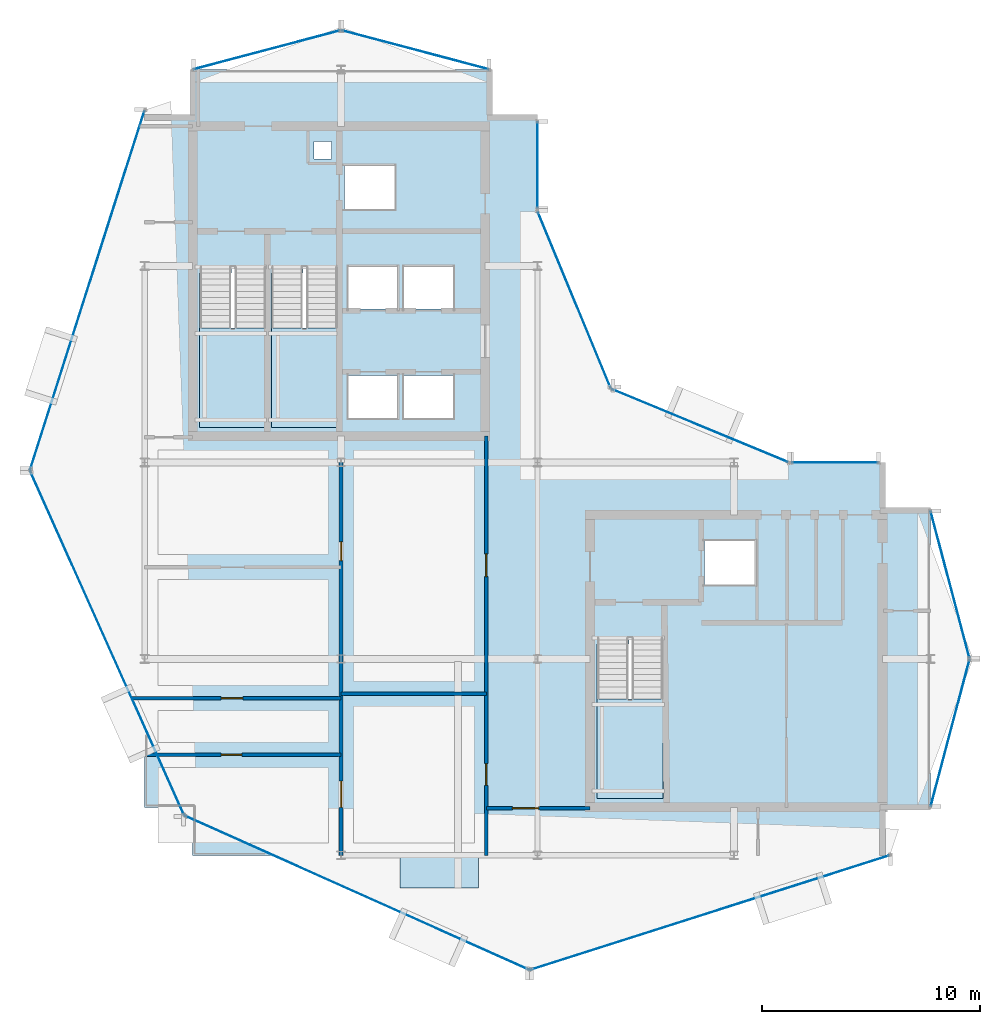
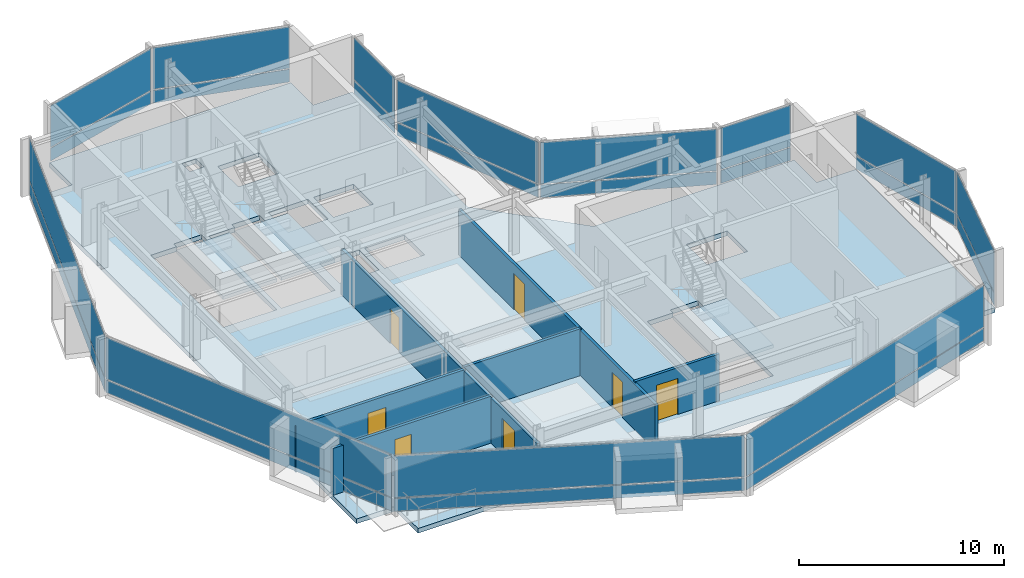
# One storey, part 13 of 19: 24 plates, 7 doors, 6 walls, 5 slabs, 7 openings, 15 elements without a shape of their own.
"""IFC4 building model written with IfcOpenShell, lengths in metres."""

from ifc_helpers import new_model, si_unit, direction, frame, frame_2d, origin, origin_2d, place, context, subcontext, project, spatial, polyline, rectangle, outline, extrude, material, layer, layer_set, type_object, element, fill, aggregate, save


model = new_model("IFC4")

# Units and contexts
model_context = context("Model", 3, precision=1e-05, world=origin(), true_north=direction((0.0, 1.0)))
body_context = subcontext(model_context, "Body", "Model", "MODEL_VIEW")
ifc_project = project(units=[si_unit("LENGTHUNIT", "METRE"), si_unit("AREAUNIT", "SQUARE_METRE"), si_unit("VOLUMEUNIT", "CUBIC_METRE"), si_unit("PLANEANGLEUNIT", "RADIAN"), si_unit("MASSUNIT", "GRAM", prefix="KILO")], contexts=[model_context])

# Site, building, storey
site_placement = place(None, origin())
site = spatial("IfcSite", under=ifc_project, at=site_placement, CompositionType="ELEMENT")
building_placement = place(site_placement, origin())
building = spatial("IfcBuilding", under=site, at=building_placement, Name="Solvaryn Broadcast Tower", CompositionType="ELEMENT")
storey_placement = place(building_placement, frame((0.0, 0.0, 244.5)))
storey = spatial("IfcBuildingStorey", under=building, at=storey_placement, Name="L61", CompositionType="ELEMENT", Elevation=244.5)

# Curtain wall, plates
ifc_material_1 = material(Name="Aluminium and Terracotta Unitised Curtain Wall", Category="masonry")
ifc_layer_1 = layer(ifc_material_1, 0.199951171875)
ifc_layer_set_1 = layer_set([ifc_layer_1], Name="CW-SYS2-LOWMID")
curtain_wall_type_1 = type_object("IfcCurtainWallType", Name="CW-SYS2-LOWMID", PredefinedType="NOTDEFINED", material=ifc_layer_set_1)
curtain_wall_1_placement = place(storey_placement, origin())
curtain_wall_1 = element("IfcCurtainWall", 1, at=curtain_wall_1_placement, inside=storey, type_object=curtain_wall_type_1, Name="L61 Curtain Wall DR1", PredefinedType="NOTDEFINED")
ifc_material_2 = material(Name="Low-Iron Insulated Vision Glass", Category="glass")
ifc_layer_2 = layer(ifc_material_2, 0.035888671875)
ifc_layer_set_2 = layer_set([ifc_layer_2], Name="CW-PNL-VISION")
plate_type = type_object("IfcPlateType", Name="CW-PNL-VISION", PredefinedType="CURTAIN_PANEL", material=ifc_layer_set_2)
plate_1_placement = place(storey_placement, frame((6.368896484375, 34.892578125, 0.06005859375), z_axis=(0.0, 0.0, 1.0), x_axis=(-0.30361564569, -0.952794594701, 0.0)))
plate_1 = element("IfcPlate", 2, at=plate_1_placement, type_object=plate_type, Name="CWS2 panel 1.1", PredefinedType="CURTAIN_PANEL", context=body_context, shape_type="SweptSolid", body=[
    extrude(rectangle(XDim=17.211181640625, YDim=0.028076171875, at=origin_2d()), origin(), (0.0, 0.0, 1.0), 0.760009765625),
])
plate_2_placement = place(storey_placement, frame((6.368896484375, 34.892578125, 0.880126953125), z_axis=(0.0, 0.0, 1.0), x_axis=(-0.30361564569, -0.952794594701, 0.0)))
plate_2 = element("IfcPlate", 3, at=plate_2_placement, type_object=plate_type, Name="CWS2 panel 1.2", PredefinedType="CURTAIN_PANEL", context=body_context, shape_type="SweptSolid", body=[
    extrude(rectangle(XDim=17.211181640625, YDim=0.028076171875, at=origin_2d()), origin(), (0.0, 0.0, 1.0), 2.47998046875),
])
aggregate(curtain_wall_1, [plate_1, plate_2])

ifc_material_3 = material(Name="Aluminium and Terracotta Unitised Curtain Wall", Category="masonry")
ifc_layer_3 = layer(ifc_material_3, 0.239990234375)
ifc_layer_set_3 = layer_set([ifc_layer_3], Name="CW-SYS3-BAYBOX")
curtain_wall_type_2 = type_object("IfcCurtainWallType", Name="CW-SYS3-BAYBOX", PredefinedType="NOTDEFINED", material=ifc_layer_set_3)
curtain_wall_2_placement = place(storey_placement, origin())
curtain_wall_2 = element("IfcCurtainWall", 4, at=curtain_wall_2_placement, inside=storey, type_object=curtain_wall_type_2, Name="L61 Curtain Wall DR2", PredefinedType="NOTDEFINED")
plate_3_placement = place(storey_placement, frame((7.277587890625, 18.7265625, 0.06005859375), z_axis=(0.0, 0.0, 1.0), x_axis=(0.408466010682, -0.912773530574, 0.0)))
plate_3 = element("IfcPlate", 5, at=plate_3_placement, type_object=plate_type, Name="CWS3 panel 1.1", PredefinedType="CURTAIN_PANEL", context=body_context, shape_type="SweptSolid", body=[
    extrude(rectangle(XDim=17.210693359375, YDim=0.028076171875, at=origin_2d()), origin(), (0.0, 0.0, 1.0), 0.760009765625),
])
plate_4_placement = place(storey_placement, frame((7.277587890625, 18.7265625, 0.880126953125), z_axis=(0.0, 0.0, 1.0), x_axis=(0.408466010682, -0.912773530574, 0.0)))
plate_4 = element("IfcPlate", 6, at=plate_4_placement, type_object=plate_type, Name="CWS3 panel 1.2", PredefinedType="CURTAIN_PANEL", context=body_context, shape_type="SweptSolid", body=[
    extrude(rectangle(XDim=17.210693359375, YDim=0.028076171875, at=origin_2d()), origin(), (0.0, 0.0, 1.0), 2.47998046875),
])
aggregate(curtain_wall_2, [plate_3, plate_4])

curtain_wall_3_placement = place(storey_placement, origin())
curtain_wall_3 = element("IfcCurtainWall", 7, at=curtain_wall_3_placement, inside=storey, type_object=curtain_wall_type_1, Name="L61 Curtain Wall DR3", PredefinedType="NOTDEFINED")
plate_5_placement = place(storey_placement, frame((18.7265625, 7.277587890625, 0.06005859375), z_axis=(0.0, 0.0, 1.0), x_axis=(0.912773530574, -0.408466010682, 0.0)))
plate_5 = element("IfcPlate", 8, at=plate_5_placement, type_object=plate_type, Name="CWS2 panel 1.1", PredefinedType="CURTAIN_PANEL", context=body_context, shape_type="SweptSolid", body=[
    extrude(rectangle(XDim=17.210693359375, YDim=0.028076171875, at=origin_2d()), origin(), (0.0, 0.0, 1.0), 0.760009765625),
])
plate_6_placement = place(storey_placement, frame((18.7265625, 7.277587890625, 0.880126953125), z_axis=(0.0, 0.0, 1.0), x_axis=(0.912773530574, -0.408466010682, 0.0)))
plate_6 = element("IfcPlate", 9, at=plate_6_placement, type_object=plate_type, Name="CWS2 panel 1.2", PredefinedType="CURTAIN_PANEL", context=body_context, shape_type="SweptSolid", body=[
    extrude(rectangle(XDim=17.210693359375, YDim=0.028076171875, at=origin_2d()), origin(), (0.0, 0.0, 1.0), 2.47998046875),
])
aggregate(curtain_wall_3, [plate_5, plate_6])

curtain_wall_4_placement = place(storey_placement, origin())
curtain_wall_4 = element("IfcCurtainWall", 10, at=curtain_wall_4_placement, inside=storey, type_object=curtain_wall_type_1, Name="L61 Curtain Wall DR4", PredefinedType="NOTDEFINED")
plate_7_placement = place(storey_placement, frame((34.892578125, 6.368896484375, 0.06005859375), z_axis=(0.0, 0.0, 1.0), x_axis=(0.952794594701, 0.30361564569, 0.0)))
plate_7 = element("IfcPlate", 11, at=plate_7_placement, type_object=plate_type, Name="CWS2 panel 1.1", PredefinedType="CURTAIN_PANEL", context=body_context, shape_type="SweptSolid", body=[
    extrude(rectangle(XDim=17.211181640625, YDim=0.028076171875, at=origin_2d()), origin(), (0.0, 0.0, 1.0), 0.760009765625),
])
plate_8_placement = place(storey_placement, frame((34.892578125, 6.368896484375, 0.880126953125), z_axis=(0.0, 0.0, 1.0), x_axis=(0.952794594701, 0.30361564569, 0.0)))
plate_8 = element("IfcPlate", 12, at=plate_8_placement, type_object=plate_type, Name="CWS2 panel 1.2", PredefinedType="CURTAIN_PANEL", context=body_context, shape_type="SweptSolid", body=[
    extrude(rectangle(XDim=17.211181640625, YDim=0.028076171875, at=origin_2d()), origin(), (0.0, 0.0, 1.0), 2.47998046875),
])
aggregate(curtain_wall_4, [plate_7, plate_8])

curtain_wall_5_placement = place(storey_placement, origin())
curtain_wall_5 = element("IfcCurtainWall", 13, at=curtain_wall_5_placement, inside=storey, type_object=curtain_wall_type_1, Name="L61 Curtain Wall IV", PredefinedType="NOTDEFINED")
plate_9_placement = place(storey_placement, frame((27.0, 40.625, 0.06005859375), z_axis=(0.0, 0.0, 1.0), x_axis=(0.0, -1.0, 0.0)))
plate_9 = element("IfcPlate", 14, at=plate_9_placement, type_object=plate_type, Name="CWS2 panel 1.1", PredefinedType="CURTAIN_PANEL", context=body_context, shape_type="SweptSolid", body=[
    extrude(rectangle(XDim=3.929931640625, YDim=0.028076171875, at=origin_2d()), origin(), (0.0, 0.0, 1.0), 0.760009765625),
])
plate_10_placement = place(storey_placement, frame((27.0, 40.625, 0.880126953125), z_axis=(0.0, 0.0, 1.0), x_axis=(0.0, -1.0, 0.0)))
plate_10 = element("IfcPlate", 15, at=plate_10_placement, type_object=plate_type, Name="CWS2 panel 1.2", PredefinedType="CURTAIN_PANEL", context=body_context, shape_type="SweptSolid", body=[
    extrude(rectangle(XDim=3.929931640625, YDim=0.028076171875, at=origin_2d()), origin(), (0.0, 0.0, 1.0), 2.47998046875),
])
aggregate(curtain_wall_5, [plate_9, plate_10])

curtain_wall_6_placement = place(storey_placement, origin())
curtain_wall_6 = element("IfcCurtainWall", 16, at=curtain_wall_6_placement, inside=storey, type_object=curtain_wall_type_1, Name="L61 Curtain Wall CN1", PredefinedType="NOTDEFINED")
plate_11_placement = place(storey_placement, frame((34.43408203125, 28.68408203125, 0.06005859375), z_axis=(0.0, 0.0, 1.0), x_axis=(-0.923894983957, 0.382646127145, 0.0)))
plate_11 = element("IfcPlate", 17, at=plate_11_placement, type_object=plate_type, Name="CWS2 panel 1.1", PredefinedType="CURTAIN_PANEL", context=body_context, shape_type="SweptSolid", body=[
    extrude(rectangle(XDim=8.681884765625, YDim=0.028076171875, at=origin_2d()), origin(), (0.0, 0.0, 1.0), 0.760009765625),
])
plate_12_placement = place(storey_placement, frame((34.43408203125, 28.68408203125, 0.880126953125), z_axis=(0.0, 0.0, 1.0), x_axis=(-0.923894983957, 0.382646127145, 0.0)))
plate_12 = element("IfcPlate", 18, at=plate_12_placement, type_object=plate_type, Name="CWS2 panel 1.2", PredefinedType="CURTAIN_PANEL", context=body_context, shape_type="SweptSolid", body=[
    extrude(rectangle(XDim=8.681884765625, YDim=0.028076171875, at=origin_2d()), origin(), (0.0, 0.0, 1.0), 2.47998046875),
])
aggregate(curtain_wall_6, [plate_11, plate_12])

curtain_wall_7_placement = place(storey_placement, origin())
curtain_wall_7 = element("IfcCurtainWall", 19, at=curtain_wall_7_placement, inside=storey, type_object=curtain_wall_type_1, Name="L61 Curtain Wall CN2", PredefinedType="NOTDEFINED")
plate_13_placement = place(storey_placement, frame((28.68408203125, 34.43408203125, 0.06005859375), z_axis=(0.0, 0.0, 1.0), x_axis=(-0.382646127145, 0.923894983957, 0.0)))
plate_13 = element("IfcPlate", 20, at=plate_13_placement, type_object=plate_type, Name="CWS2 panel 1.1", PredefinedType="CURTAIN_PANEL", context=body_context, shape_type="SweptSolid", body=[
    extrude(rectangle(XDim=8.681884765625, YDim=0.028076171875, at=origin_2d()), origin(), (0.0, 0.0, 1.0), 0.760009765625),
])
plate_14_placement = place(storey_placement, frame((28.68408203125, 34.43408203125, 0.880126953125), z_axis=(0.0, 0.0, 1.0), x_axis=(-0.382646127145, 0.923894983957, 0.0)))
plate_14 = element("IfcPlate", 21, at=plate_14_placement, type_object=plate_type, Name="CWS2 panel 1.2", PredefinedType="CURTAIN_PANEL", context=body_context, shape_type="SweptSolid", body=[
    extrude(rectangle(XDim=8.681884765625, YDim=0.028076171875, at=origin_2d()), origin(), (0.0, 0.0, 1.0), 2.47998046875),
])
aggregate(curtain_wall_7, [plate_13, plate_14])

curtain_wall_8_placement = place(storey_placement, origin())
curtain_wall_8 = element("IfcCurtainWall", 22, at=curtain_wall_8_placement, inside=storey, type_object=curtain_wall_type_1, Name="L61 Curtain Wall NT1", PredefinedType="NOTDEFINED")
plate_15_placement = place(storey_placement, frame((21.39990234375, 45.89990234375, 0.06005859375), z_axis=(0.0, 0.0, 1.0), x_axis=(-0.966705227863, 0.25589256031, 0.0)))
plate_15 = element("IfcPlate", 23, at=plate_15_placement, type_object=plate_type, Name="CWS2 panel 1.1", PredefinedType="CURTAIN_PANEL", context=body_context, shape_type="SweptSolid", body=[
    extrude(rectangle(XDim=6.914306640625, YDim=0.028076171875, at=origin_2d()), origin(), (0.0, 0.0, 1.0), 0.760009765625),
])
plate_16_placement = place(storey_placement, frame((21.39990234375, 45.89990234375, 0.880126953125), z_axis=(0.0, 0.0, 1.0), x_axis=(-0.966705227863, 0.25589256031, 0.0)))
plate_16 = element("IfcPlate", 24, at=plate_16_placement, type_object=plate_type, Name="CWS2 panel 1.2", PredefinedType="CURTAIN_PANEL", context=body_context, shape_type="SweptSolid", body=[
    extrude(rectangle(XDim=6.914306640625, YDim=0.028076171875, at=origin_2d()), origin(), (0.0, 0.0, 1.0), 2.47998046875),
])
aggregate(curtain_wall_8, [plate_15, plate_16])

curtain_wall_9_placement = place(storey_placement, origin())
curtain_wall_9 = element("IfcCurtainWall", 25, at=curtain_wall_9_placement, inside=storey, type_object=curtain_wall_type_1, Name="L61 Curtain Wall NT2", PredefinedType="NOTDEFINED")
plate_17_placement = place(storey_placement, frame((14.60009765625, 45.89990234375, 0.06005859375), z_axis=(0.0, 0.0, 1.0), x_axis=(-0.966705227863, -0.25589256031, 0.0)))
plate_17 = element("IfcPlate", 26, at=plate_17_placement, type_object=plate_type, Name="CWS2 panel 1.1", PredefinedType="CURTAIN_PANEL", context=body_context, shape_type="SweptSolid", body=[
    extrude(rectangle(XDim=6.914306640625, YDim=0.028076171875, at=origin_2d()), origin(), (0.0, 0.0, 1.0), 0.760009765625),
])
plate_18_placement = place(storey_placement, frame((14.60009765625, 45.89990234375, 0.880126953125), z_axis=(0.0, 0.0, 1.0), x_axis=(-0.966705227863, -0.25589256031, 0.0)))
plate_18 = element("IfcPlate", 27, at=plate_18_placement, type_object=plate_type, Name="CWS2 panel 1.2", PredefinedType="CURTAIN_PANEL", context=body_context, shape_type="SweptSolid", body=[
    extrude(rectangle(XDim=6.914306640625, YDim=0.028076171875, at=origin_2d()), origin(), (0.0, 0.0, 1.0), 2.47998046875),
])
aggregate(curtain_wall_9, [plate_17, plate_18])

curtain_wall_10_placement = place(storey_placement, origin())
curtain_wall_10 = element("IfcCurtainWall", 28, at=curtain_wall_10_placement, inside=storey, type_object=curtain_wall_type_1, Name="L61 Curtain Wall ET1", PredefinedType="NOTDEFINED")
plate_19_placement = place(storey_placement, frame((45.89990234375, 21.39990234375, 0.06005859375), z_axis=(0.0, 0.0, 1.0), x_axis=(0.25589256031, -0.966705227863, 0.0)))
plate_19 = element("IfcPlate", 29, at=plate_19_placement, type_object=plate_type, Name="CWS2 panel 1.1", PredefinedType="CURTAIN_PANEL", context=body_context, shape_type="SweptSolid", body=[
    extrude(rectangle(XDim=6.914306640625, YDim=0.028076171875, at=origin_2d()), origin(), (0.0, 0.0, 1.0), 0.760009765625),
])
plate_20_placement = place(storey_placement, frame((45.89990234375, 21.39990234375, 0.880126953125), z_axis=(0.0, 0.0, 1.0), x_axis=(0.25589256031, -0.966705227863, 0.0)))
plate_20 = element("IfcPlate", 30, at=plate_20_placement, type_object=plate_type, Name="CWS2 panel 1.2", PredefinedType="CURTAIN_PANEL", context=body_context, shape_type="SweptSolid", body=[
    extrude(rectangle(XDim=6.914306640625, YDim=0.028076171875, at=origin_2d()), origin(), (0.0, 0.0, 1.0), 2.47998046875),
])
aggregate(curtain_wall_10, [plate_19, plate_20])

curtain_wall_11_placement = place(storey_placement, origin())
curtain_wall_11 = element("IfcCurtainWall", 31, at=curtain_wall_11_placement, inside=storey, type_object=curtain_wall_type_1, Name="L61 Curtain Wall ET2", PredefinedType="NOTDEFINED")
plate_21_placement = place(storey_placement, frame((45.89990234375, 14.60009765625, 0.06005859375), z_axis=(0.0, 0.0, 1.0), x_axis=(-0.25589256031, -0.966705227863, 0.0)))
plate_21 = element("IfcPlate", 32, at=plate_21_placement, type_object=plate_type, Name="CWS2 panel 1.1", PredefinedType="CURTAIN_PANEL", context=body_context, shape_type="SweptSolid", body=[
    extrude(rectangle(XDim=6.914306640625, YDim=0.028076171875, at=origin_2d()), origin(), (0.0, 0.0, 1.0), 0.760009765625),
])
plate_22_placement = place(storey_placement, frame((45.89990234375, 14.60009765625, 0.880126953125), z_axis=(0.0, 0.0, 1.0), x_axis=(-0.25589256031, -0.966705227863, 0.0)))
plate_22 = element("IfcPlate", 33, at=plate_22_placement, type_object=plate_type, Name="CWS2 panel 1.2", PredefinedType="CURTAIN_PANEL", context=body_context, shape_type="SweptSolid", body=[
    extrude(rectangle(XDim=6.914306640625, YDim=0.028076171875, at=origin_2d()), origin(), (0.0, 0.0, 1.0), 2.47998046875),
])
aggregate(curtain_wall_11, [plate_21, plate_22])

curtain_wall_12_placement = place(storey_placement, origin())
curtain_wall_12 = element("IfcCurtainWall", 34, at=curtain_wall_12_placement, inside=storey, type_object=curtain_wall_type_1, Name="L61 Curtain Wall IH", PredefinedType="NOTDEFINED")
plate_23_placement = place(storey_placement, frame((40.625, 27.0, 0.06005859375), z_axis=(0.0, 0.0, 1.0), x_axis=(1.0, 0.0, 0.0)))
plate_23 = element("IfcPlate", 35, at=plate_23_placement, type_object=plate_type, Name="CWS2 panel 1.1", PredefinedType="CURTAIN_PANEL", context=body_context, shape_type="SweptSolid", body=[
    extrude(rectangle(XDim=3.929931640625, YDim=0.028076171875, at=origin_2d()), origin(), (0.0, 0.0, 1.0), 0.760009765625),
])
plate_24_placement = place(storey_placement, frame((40.625, 27.0, 0.880126953125), z_axis=(0.0, 0.0, 1.0), x_axis=(1.0, 0.0, 0.0)))
plate_24 = element("IfcPlate", 36, at=plate_24_placement, type_object=plate_type, Name="CWS2 panel 1.2", PredefinedType="CURTAIN_PANEL", context=body_context, shape_type="SweptSolid", body=[
    extrude(rectangle(XDim=3.929931640625, YDim=0.028076171875, at=origin_2d()), origin(), (0.0, 0.0, 1.0), 2.47998046875),
])
aggregate(curtain_wall_12, [plate_23, plate_24])

# Slab
ifc_material_4 = material(Name="Concrete f'c 60 MPa", Category="concrete")
ifc_layer_4 = layer(ifc_material_4, 0.2099609375)
ifc_layer_set_4 = layer_set([ifc_layer_4], Name="SL-BAYBOX-210")
slab_type_1 = type_object("IfcSlabType", Name="SL-BAYBOX-210", PredefinedType="FLOOR", material=ifc_layer_set_4)
slab_1_placement = place(storey_placement, frame((0.0, 0.0, -0.2099609375)))
element("IfcSlab", 37, at=slab_1_placement, inside=storey, type_object=slab_type_1, Name="L61 Projecting Bay-Box Slab 1", PredefinedType="FLOOR", context=body_context, shape_type="SweptSolid", body=[
    extrude(outline(polyline([(20.699951171875, 7.5), (24.300048828125, 7.5), (24.300048828125, 9.0), (20.699951171875, 9.0), (20.699951171875, 7.5)])), origin(), (0.0, 0.0, 1.0), 0.2099609375),
])

# Stair, slab
ifc_material_5 = material(Name="Concrete f'c 60 MPa", Category="concrete")
stair_type = type_object("IfcStairType", Name="ST-CORE", PredefinedType="HALF_TURN_STAIR", material=ifc_material_5)
stair_1_placement = place(storey_placement, origin())
stair_1 = element("IfcStair", 38, at=stair_1_placement, inside=storey, type_object=stair_type, Name="L61 ST1", PredefinedType="HALF_TURN_STAIR")
ifc_material_6 = material(Name="Concrete f'c 60 MPa", Category="concrete")
ifc_layer_5 = layer(ifc_material_6, 0.199951171875)
ifc_layer_set_5 = layer_set([ifc_layer_5], Name="SL-LANDING-200")
slab_type_2 = type_object("IfcSlabType", Name="SL-LANDING-200", PredefinedType="LANDING", material=ifc_layer_set_5)
slab_2_placement = place(storey_placement, frame((0.0, 0.0, 1.64990234375)))
slab_2 = element("IfcSlab", 39, at=slab_2_placement, type_object=slab_type_2, Name="ST1 landing 1", PredefinedType="LANDING", context=body_context, shape_type="SweptSolid", body=[
    extrude(outline(polyline([(11.52001953125, 33.159912109375), (11.52001953125, 28.60009765625), (14.550048828125, 28.60009765625), (14.550048828125, 33.159912109375), (11.52001953125, 33.159912109375)])), origin(), (0.0, 0.0, 1.0), 0.2001953125),
])
aggregate(stair_1, [slab_2])

stair_2_placement = place(storey_placement, origin())
stair_2 = element("IfcStair", 40, at=stair_2_placement, inside=storey, type_object=stair_type, Name="L61 ST2", PredefinedType="HALF_TURN_STAIR")
slab_3_placement = place(storey_placement, frame((0.0, 0.0, 1.64990234375)))
slab_3 = element("IfcSlab", 41, at=slab_3_placement, type_object=slab_type_2, Name="ST2 landing 1", PredefinedType="LANDING", context=body_context, shape_type="SweptSolid", body=[
    extrude(outline(polyline([(14.800048828125, 33.159912109375), (14.800048828125, 28.60009765625), (17.830078125, 28.60009765625), (17.830078125, 33.159912109375), (14.800048828125, 33.159912109375)])), origin(), (0.0, 0.0, 1.0), 0.2001953125),
])
aggregate(stair_2, [slab_3])

stair_3_placement = place(storey_placement, origin())
stair_3 = element("IfcStair", 42, at=stair_3_placement, inside=storey, type_object=stair_type, Name="L61 ST3", PredefinedType="HALF_TURN_STAIR")
slab_4_placement = place(storey_placement, frame((0.0, 0.0, 1.64990234375)))
slab_4 = element("IfcSlab", 43, at=slab_4_placement, type_object=slab_type_2, Name="ST3 landing 1", PredefinedType="LANDING", context=body_context, shape_type="SweptSolid", body=[
    extrude(outline(polyline([(29.719970703125, 16.159912109375), (29.719970703125, 11.60009765625), (32.75, 11.60009765625), (32.75, 16.159912109375), (29.719970703125, 16.159912109375)])), origin(), (0.0, 0.0, 1.0), 0.2001953125),
])
aggregate(stair_3, [slab_4])

# Slab
ifc_material_7 = material(Name="Concrete f'c 60 MPa", Category="concrete")
ifc_layer_6 = layer(ifc_material_7, 0.280029296875)
ifc_layer_set_6 = layer_set([ifc_layer_6], Name="SL-TWR-280")
slab_type_3 = type_object("IfcSlabType", Name="SL-TWR-280", PredefinedType="FLOOR", material=ifc_layer_set_6)
slab_5_placement = place(storey_placement, frame((0.0, 0.0, -0.280029296875)))
element("IfcSlab", 44, at=slab_5_placement, inside=storey, type_object=slab_type_3, Name="L61 Structural Floor Slab", PredefinedType="FLOOR", context=body_context, shape_type="SweptSolid", body=[
    extrude(outline(polyline([(11.199951171875, 9.0), (42.800048828125, 9.0), (42.800048828125, 11.199951171875), (45.0, 11.199951171875), (45.0, 24.800048828125), (42.800048828125, 24.800048828125), (42.800048828125, 27.0), (31.5, 27.0), (27.0, 31.5), (27.0, 42.800048828125), (24.800048828125, 42.800048828125), (24.800048828125, 45.0), (11.199951171875, 45.0), (11.199951171875, 42.800048828125), (9.0, 42.800048828125), (9.0, 11.199951171875), (11.199951171875, 11.199951171875), (11.199951171875, 9.0)]), holes=[polyline([(11.52001953125, 28.60009765625), (14.550048828125, 28.60009765625), (14.550048828125, 35.9599609375), (12.97998046875, 35.9599609375), (12.97998046875, 35.679931640625), (11.52001953125, 35.679931640625), (11.52001953125, 28.60009765625)]), polyline([(14.800048828125, 28.60009765625), (17.830078125, 28.60009765625), (17.830078125, 35.9599609375), (16.260009765625, 35.9599609375), (16.260009765625, 35.679931640625), (14.800048828125, 35.679931640625), (14.800048828125, 28.60009765625)]), polyline([(29.719970703125, 11.60009765625), (32.75, 11.60009765625), (32.75, 18.9599609375), (31.179931640625, 18.9599609375), (31.179931640625, 18.679931640625), (29.719970703125, 18.679931640625), (29.719970703125, 11.60009765625)]), polyline([(18.14990234375, 38.60009765625), (20.449951171875, 38.60009765625), (20.449951171875, 40.60009765625), (18.14990234375, 40.60009765625), (18.14990234375, 38.60009765625)]), polyline([(18.324951171875, 29.02490234375), (20.574951171875, 29.02490234375), (20.574951171875, 30.97509765625), (18.324951171875, 30.97509765625), (18.324951171875, 29.02490234375)]), polyline([(20.875, 29.02490234375), (23.125, 29.02490234375), (23.125, 30.97509765625), (20.875, 30.97509765625), (20.875, 29.02490234375)]), polyline([(18.324951171875, 34.02490234375), (20.574951171875, 34.02490234375), (20.574951171875, 35.97509765625), (18.324951171875, 35.97509765625), (18.324951171875, 34.02490234375)]), polyline([(20.875, 34.02490234375), (23.125, 34.02490234375), (23.125, 35.97509765625), (20.875, 35.97509765625), (20.875, 34.02490234375)]), polyline([(34.64990234375, 21.39990234375), (36.949951171875, 21.39990234375), (36.949951171875, 23.39990234375), (34.64990234375, 23.39990234375), (34.64990234375, 21.39990234375)]), polyline([(16.75, 40.89990234375), (17.550048828125, 40.89990234375), (17.550048828125, 41.699951171875), (16.75, 41.699951171875), (16.75, 40.89990234375)])]), origin(), (0.0, 0.0, 1.0), 0.280029296875),
])

# Wall, openings, doors
ifc_material_8 = material(Name="Metal-Stud Gypsum Office Partition")
ifc_layer_7 = layer(ifc_material_8, 0.159912109375)
ifc_layer_set_7 = layer_set([ifc_layer_7], Name="IW-PART-160")
wall_type_1 = type_object("IfcWallType", Name="IW-PART-160", PredefinedType="PARTITIONING", material=ifc_layer_set_7)
wall_1_placement = place(storey_placement, frame((24.64990234375, 9.0, 0.0), z_axis=(0.0, 0.0, 1.0), x_axis=(0.0, 1.0, 0.0)))
wall_1 = element("IfcWall", 45, at=wall_1_placement, inside=storey, type_object=wall_type_1, Name="L61 Interior Partition IW-L61-SW-EB", PredefinedType="PARTITIONING", context=body_context, shape_type="SweptSolid", body=[
    extrude(rectangle(XDim=19.199951171875, YDim=0.159912109375, at=frame_2d((9.60009765625, 0.0))), origin(), (0.0, 0.0, 1.0), 2.70703125),
])
opening_1_placement = place(wall_1_placement, frame((3.199951171875, 0.0, 0.0)))
opening_1 = element("IfcOpeningElement", 46, at=opening_1_placement, cuts=wall_1, Name="Opening ID02", PredefinedType="OPENING", context=body_context, shape_type="SweptSolid", body=[
    extrude(rectangle(XDim=1.0, YDim=2.10009765625, at=frame_2d((0.5, 1.050048828125))), frame((0.0, 0.090087890625, 0.0), z_axis=(0.0, -1.0, 0.0), x_axis=(1.0, 0.0, 0.0)), (0.0, 0.0, 1.0), 0.179931640625),
])
opening_2_placement = place(wall_1_placement, frame((12.764892578125, 0.0, 0.0)))
opening_2 = element("IfcOpeningElement", 47, at=opening_2_placement, cuts=wall_1, Name="Opening ID03", PredefinedType="OPENING", context=body_context, shape_type="SweptSolid", body=[
    extrude(rectangle(XDim=1.050048828125, YDim=2.14990234375, at=frame_2d((0.52490234375, 1.074951171875))), frame((0.0, 0.090087890625, 0.0), z_axis=(0.0, -1.0, 0.0), x_axis=(1.0, 0.0, 0.0)), (0.0, 0.0, 1.0), 0.179931640625),
])
ifc_material_9 = material(Name="Flush Acoustic Steel and Timber Door Assembly", Category="steel")
door_type_1 = type_object("IfcDoorType", Name="ID-02-1000X2100", OperationType="NOTDEFINED", PredefinedType="DOOR", material=ifc_material_9)
door_1_placement = place(opening_1_placement, origin())
door_1 = element("IfcDoor", 48, at=door_1_placement, inside=storey, type_object=door_type_1, Name="L61 Door DR-L61-SWE-1", OperationType="SINGLE_SWING_LEFT", OverallHeight=2.10009765625, OverallWidth=1.0, PredefinedType="DOOR", context=body_context, shape_type="SweptSolid", body=[
    extrude(rectangle(XDim=1.0, YDim=2.10009765625, at=frame_2d((0.5, 1.050048828125))), frame((0.0, 0.02490234375, 0.0), z_axis=(0.0, -1.0, 0.0), x_axis=(1.0, 0.0, 0.0)), (0.0, 0.0, 1.0), 0.050048828125),
])
fill(opening_1, door_1)
ifc_material_10 = material(Name="Flush Acoustic Steel and Timber Door Assembly", Category="steel")
door_type_2 = type_object("IfcDoorType", Name="ID-03-1050X2150", OperationType="NOTDEFINED", PredefinedType="DOOR", material=ifc_material_10)
door_2_placement = place(opening_2_placement, origin())
door_2 = element("IfcDoor", 49, at=door_2_placement, inside=storey, type_object=door_type_2, Name="L61 Door DR-L61-SWE-2", OperationType="SINGLE_SWING_RIGHT", OverallHeight=2.14990234375, OverallWidth=1.050048828125, PredefinedType="DOOR", context=body_context, shape_type="SweptSolid", body=[
    extrude(rectangle(XDim=1.050048828125, YDim=2.14990234375, at=frame_2d((0.52490234375, 1.074951171875))), frame((0.0, 0.02490234375, 0.0), z_axis=(0.0, -1.0, 0.0), x_axis=(1.0, 0.0, 0.0)), (0.0, 0.0, 1.0), 0.050048828125),
])
fill(opening_2, door_2)

# Wall
wall_2_placement = place(storey_placement, frame((18.0, 16.39990234375, 0.0), z_axis=(0.0, 0.0, 1.0), x_axis=(1.0, 0.0, 0.0)))
element("IfcWall", 50, at=wall_2_placement, inside=storey, type_object=wall_type_1, Name="L61 Interior Partition IW-L61-SWE-H1", PredefinedType="PARTITIONING", context=body_context, shape_type="SweptSolid", body=[
    extrude(rectangle(XDim=6.64990234375, YDim=0.159912109375, at=frame_2d((3.324951171875, 0.0))), origin(), (0.0, 0.0, 1.0), 2.7919921875),
])

# Wall, opening, door
wall_3_placement = place(storey_placement, frame((9.0, 13.60009765625, 0.0), z_axis=(0.0, 0.0, 1.0), x_axis=(1.0, 0.0, 0.0)))
wall_3 = element("IfcWall", 51, at=wall_3_placement, inside=storey, type_object=wall_type_1, Name="L61 Interior Partition IW-L61-SWW-H1", PredefinedType="PARTITIONING", context=body_context, shape_type="SweptSolid", body=[
    extrude(rectangle(XDim=9.0, YDim=0.159912109375, at=frame_2d((4.5, 0.0))), origin(), (0.0, 0.0, 1.0), 2.7919921875),
])
opening_3_placement = place(wall_3_placement, frame((3.5, 0.0, 0.0)))
opening_3 = element("IfcOpeningElement", 52, at=opening_3_placement, cuts=wall_3, Name="Opening ID01", PredefinedType="OPENING", context=body_context, shape_type="SweptSolid", body=[
    extrude(rectangle(XDim=0.949951171875, YDim=2.10009765625, at=frame_2d((0.47509765625, 1.050048828125))), frame((0.0, 0.090087890625, 0.0), z_axis=(0.0, -1.0, 0.0), x_axis=(1.0, 0.0, 0.0)), (0.0, 0.0, 1.0), 0.179931640625),
])
ifc_material_11 = material(Name="Flush Acoustic Steel and Timber Door Assembly", Category="steel")
door_type_3 = type_object("IfcDoorType", Name="ID-01-950X2100", OperationType="NOTDEFINED", PredefinedType="DOOR", material=ifc_material_11)
door_3_placement = place(opening_3_placement, origin())
door_3 = element("IfcDoor", 53, at=door_3_placement, inside=storey, type_object=door_type_3, Name="L61 Door DR-L61-SWW-1", OperationType="SINGLE_SWING_LEFT", OverallHeight=2.10009765625, OverallWidth=0.949951171875, PredefinedType="DOOR", context=body_context, shape_type="SweptSolid", body=[
    extrude(rectangle(XDim=0.949951171875, YDim=2.10009765625, at=frame_2d((0.47509765625, 1.050048828125))), frame((0.0, 0.02490234375, 0.0), z_axis=(0.0, -1.0, 0.0), x_axis=(1.0, 0.0, 0.0)), (0.0, 0.0, 1.0), 0.050048828125),
])
fill(opening_3, door_3)

wall_4_placement = place(storey_placement, frame((8.407958984375, 16.199951171875, 0.0), z_axis=(0.0, 0.0, 1.0), x_axis=(1.0, 0.0, 0.0)))
wall_4 = element("IfcWall", 54, at=wall_4_placement, inside=storey, type_object=wall_type_1, Name="L61 Interior Partition IW-L61-SWW-H2", PredefinedType="PARTITIONING", context=body_context, shape_type="SweptSolid", body=[
    extrude(rectangle(XDim=9.592041015625, YDim=0.159912109375, at=frame_2d((4.7958984375, 0.0))), origin(), (0.0, 0.0, 1.0), 2.7919921875),
])
opening_4_placement = place(wall_4_placement, frame((4.092041015625, 0.0, 0.0)))
opening_4 = element("IfcOpeningElement", 55, at=opening_4_placement, cuts=wall_4, Name="Opening ID02", PredefinedType="OPENING", context=body_context, shape_type="SweptSolid", body=[
    extrude(rectangle(XDim=1.0, YDim=2.10009765625, at=frame_2d((0.5, 1.050048828125))), frame((0.0, 0.090087890625, 0.0), z_axis=(0.0, -1.0, 0.0), x_axis=(1.0, 0.0, 0.0)), (0.0, 0.0, 1.0), 0.179931640625),
])
door_4_placement = place(opening_4_placement, origin())
door_4 = element("IfcDoor", 56, at=door_4_placement, inside=storey, type_object=door_type_1, Name="L61 Door DR-L61-SWW-2", OperationType="SINGLE_SWING_RIGHT", OverallHeight=2.10009765625, OverallWidth=1.0, PredefinedType="DOOR", context=body_context, shape_type="SweptSolid", body=[
    extrude(rectangle(XDim=1.0, YDim=2.10009765625, at=frame_2d((0.5, 1.050048828125))), frame((0.0, 0.02490234375, 0.0), z_axis=(0.0, -1.0, 0.0), x_axis=(1.0, 0.0, 0.0)), (0.0, 0.0, 1.0), 0.050048828125),
])
fill(opening_4, door_4)

wall_5_placement = place(storey_placement, frame((24.64990234375, 11.14990234375, 0.0), z_axis=(0.0, 0.0, 1.0), x_axis=(1.0, 0.0, 0.0)))
wall_5 = element("IfcWall", 57, at=wall_5_placement, inside=storey, type_object=wall_type_1, Name="L61 Interior Partition IW-L61-SC-N", PredefinedType="PARTITIONING", context=body_context, shape_type="SweptSolid", body=[
    extrude(rectangle(XDim=4.75, YDim=0.159912109375, at=frame_2d((2.375, 0.0))), origin(), (0.0, 0.0, 1.0), 2.7919921875),
])
opening_5_placement = place(wall_5_placement, frame((1.199951171875, 0.0, 0.0)))
opening_5 = element("IfcOpeningElement", 58, at=opening_5_placement, cuts=wall_5, Name="Opening ID04", PredefinedType="OPENING", context=body_context, shape_type="SweptSolid", body=[
    extrude(rectangle(XDim=1.199951171875, YDim=2.14990234375, at=frame_2d((0.60009765625, 1.074951171875))), frame((0.0, 0.090087890625, 0.0), z_axis=(0.0, -1.0, 0.0), x_axis=(1.0, 0.0, 0.0)), (0.0, 0.0, 1.0), 0.179931640625),
])
ifc_material_12 = material(Name="Flush Acoustic Steel and Timber Door Assembly", Category="steel")
door_type_4 = type_object("IfcDoorType", Name="ID-04-1200X2150", OperationType="NOTDEFINED", PredefinedType="DOOR", material=ifc_material_12)
door_5_placement = place(opening_5_placement, origin())
door_5 = element("IfcDoor", 59, at=door_5_placement, inside=storey, type_object=door_type_4, Name="L61 Door DR-L61-SC0", OperationType="SINGLE_SWING_RIGHT", OverallHeight=2.14990234375, OverallWidth=1.199951171875, PredefinedType="DOOR", context=body_context, shape_type="SweptSolid", body=[
    extrude(rectangle(XDim=1.199951171875, YDim=2.14990234375, at=frame_2d((0.60009765625, 1.074951171875))), frame((0.0, 0.02490234375, 0.0), z_axis=(0.0, -1.0, 0.0), x_axis=(1.0, 0.0, 0.0)), (0.0, 0.0, 1.0), 0.050048828125),
])
fill(opening_5, door_5)

# Wall, openings, doors
ifc_material_13 = material(Name="Acoustic Metal-Stud Gypsum Partition")
ifc_layer_8 = layer(ifc_material_13, 0.179931640625)
ifc_layer_set_8 = layer_set([ifc_layer_8], Name="IW-PART-180")
wall_type_2 = type_object("IfcWallType", Name="IW-PART-180", PredefinedType="PARTITIONING", material=ifc_layer_set_8)
wall_6_placement = place(storey_placement, frame((18.0, 9.0, 0.0), z_axis=(0.0, 0.0, 1.0), x_axis=(0.0, 1.0, 0.0)))
wall_6 = element("IfcWall", 60, at=wall_6_placement, inside=storey, type_object=wall_type_2, Name="L61 Interior Partition IW-L61-SW-VX", PredefinedType="PARTITIONING", context=body_context, shape_type="SweptSolid", body=[
    extrude(rectangle(XDim=19.1298828125, YDim=0.179931640625, at=frame_2d((9.56494140625, 0.0))), origin(), (0.0, 0.0, 1.0), 2.70703125),
])
opening_6_placement = place(wall_6_placement, frame((2.199951171875, 0.0, 0.0)))
opening_6 = element("IfcOpeningElement", 61, at=opening_6_placement, cuts=wall_6, Name="Opening ID04", PredefinedType="OPENING", context=body_context, shape_type="SweptSolid", body=[
    extrude(rectangle(XDim=1.199951171875, YDim=2.14990234375, at=frame_2d((0.60009765625, 1.074951171875))), frame((0.0, 0.099853515625, 0.0), z_axis=(0.0, -1.0, 0.0), x_axis=(1.0, 0.0, 0.0)), (0.0, 0.0, 1.0), 0.199951171875),
])
opening_7_placement = place(wall_6_placement, frame((13.5, 0.0, 0.0)))
opening_7 = element("IfcOpeningElement", 62, at=opening_7_placement, cuts=wall_6, Name="Opening ID07", PredefinedType="OPENING", context=body_context, shape_type="SweptSolid", body=[
    extrude(rectangle(XDim=0.860107421875, YDim=2.050048828125, at=frame_2d((0.43017578125, 1.02490234375))), frame((0.0, 0.099853515625, 0.0), z_axis=(0.0, -1.0, 0.0), x_axis=(1.0, 0.0, 0.0)), (0.0, 0.0, 1.0), 0.199951171875),
])
door_6_placement = place(opening_6_placement, origin())
door_6 = element("IfcDoor", 63, at=door_6_placement, inside=storey, type_object=door_type_4, Name="L61 Door DR-L61-SWW-X1", OperationType="SINGLE_SWING_LEFT", OverallHeight=2.14990234375, OverallWidth=1.199951171875, PredefinedType="DOOR", context=body_context, shape_type="SweptSolid", body=[
    extrude(rectangle(XDim=1.199951171875, YDim=2.14990234375, at=frame_2d((0.60009765625, 1.074951171875))), frame((0.0, 0.02490234375, 0.0), z_axis=(0.0, -1.0, 0.0), x_axis=(1.0, 0.0, 0.0)), (0.0, 0.0, 1.0), 0.050048828125),
])
fill(opening_6, door_6)
ifc_material_14 = material(Name="Flush Acoustic Steel and Timber Door Assembly", Category="steel")
door_type_5 = type_object("IfcDoorType", Name="ID-07-860X2050", OperationType="NOTDEFINED", PredefinedType="DOOR", material=ifc_material_14)
door_7_placement = place(opening_7_placement, origin())
door_7 = element("IfcDoor", 64, at=door_7_placement, inside=storey, type_object=door_type_5, Name="L61 Door DR-L61-SWW-X2", OperationType="SINGLE_SWING_RIGHT", OverallHeight=2.050048828125, OverallWidth=0.860107421875, PredefinedType="DOOR", context=body_context, shape_type="SweptSolid", body=[
    extrude(rectangle(XDim=0.860107421875, YDim=2.050048828125, at=frame_2d((0.43017578125, 1.02490234375))), frame((0.0, 0.02490234375, 0.0), z_axis=(0.0, -1.0, 0.0), x_axis=(1.0, 0.0, 0.0)), (0.0, 0.0, 1.0), 0.050048828125),
])
fill(opening_7, door_7)

save(model, "model.ifc")
